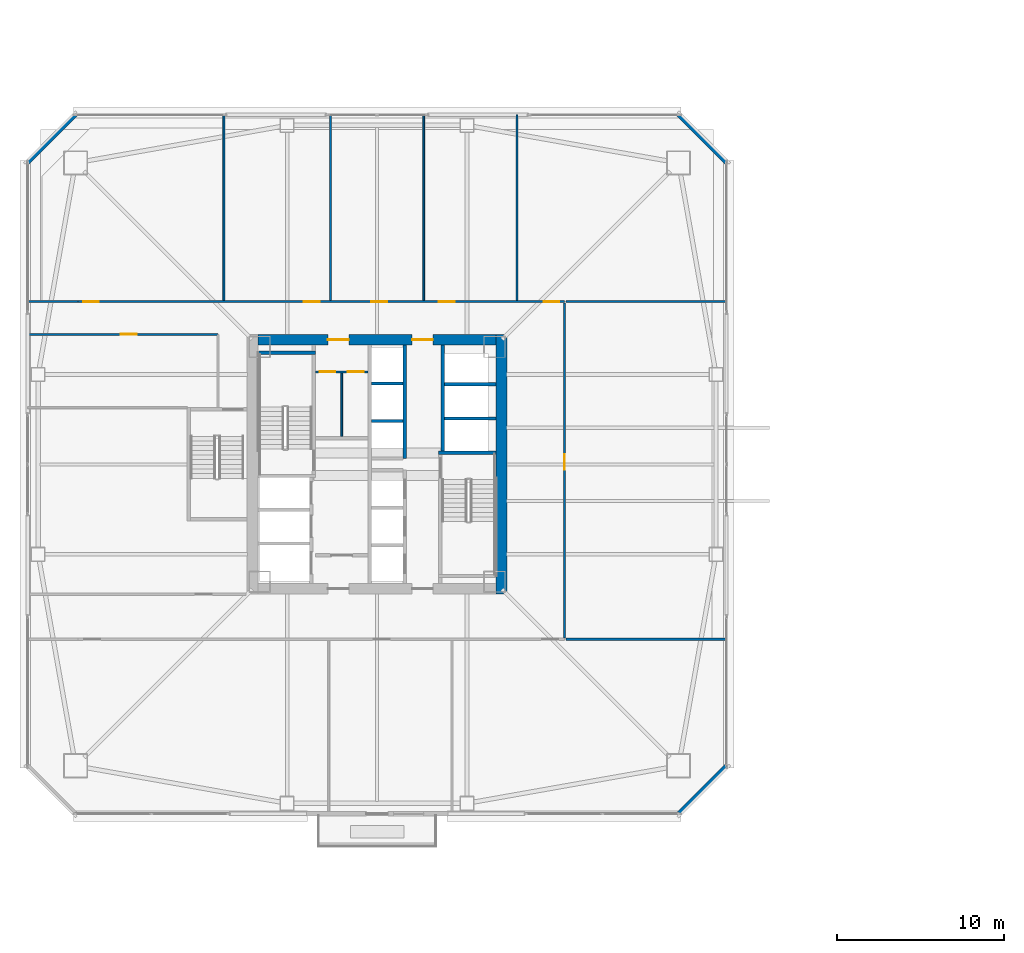
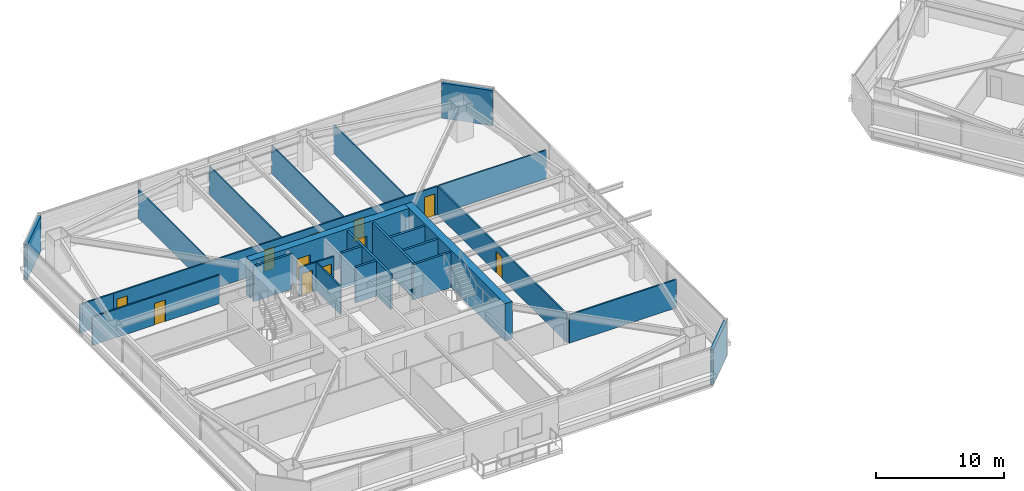
# One storey, part 34 of 44: 25 walls, 11 doors, 11 openings.
"""IFC4 building model written with IfcOpenShell, lengths in metres."""

from ifc_helpers import new_model, si_unit, direction, frame, frame_2d, origin, place, context, subcontext, project, spatial, rectangle, extrude, material, layer, layer_set, type_object, element, fill, save


model = new_model("IFC4")

# Units and contexts
model_context = context("Model", 3, precision=1e-05, world=origin(), true_north=direction((0.0, 1.0)))
body_context = subcontext(model_context, "Body", "Model", "MODEL_VIEW")
ifc_project = project(units=[si_unit("LENGTHUNIT", "METRE"), si_unit("AREAUNIT", "SQUARE_METRE"), si_unit("VOLUMEUNIT", "CUBIC_METRE"), si_unit("PLANEANGLEUNIT", "RADIAN"), si_unit("MASSUNIT", "GRAM", prefix="KILO")], contexts=[model_context])

# Site, building, storey
site_placement = place(None, origin())
site = spatial("IfcSite", under=ifc_project, at=site_placement, CompositionType="ELEMENT")
building_placement = place(site_placement, origin())
building = spatial("IfcBuilding", under=site, at=building_placement, Name="Tashvorn Skyway Center", CompositionType="ELEMENT")
storey_placement = place(building_placement, frame((0.0, 0.0, 95.60009765625)))
storey = spatial("IfcBuildingStorey", under=building, at=storey_placement, Name="L25", CompositionType="ELEMENT", Elevation=95.60009765625)

# Wall
ifc_material_1 = material(Name="Concrete C60/75", Category="concrete")
ifc_layer_1 = layer(ifc_material_1, 0.64990234375)
ifc_layer_set_1 = layer_set([ifc_layer_1], Name="Concrete C60/75")
wall_type_1 = type_object("IfcWallType", Name="WALL-CORE-650", PredefinedType="SHEAR", material=ifc_layer_set_1)
wall_1_placement = place(storey_placement, frame((49.47509765625, 39.800048828125, 0.0), z_axis=(0.0, 0.0, 1.0), x_axis=(0.0, -1.0, 0.0)))
element("IfcWall", 1, at=wall_1_placement, inside=storey, type_object=wall_type_1, Name="Tower 1 L25 East Core Shear Wall", PredefinedType="SHEAR", context=body_context, shape_type="SweptSolid", body=[
    extrude(rectangle(XDim=15.60009765625, YDim=0.64990234375, at=frame_2d((7.800048828125, 0.0))), origin(), (0.0, 0.0, 1.0), 3.5498046875),
])

# Wall, openings, doors
wall_2_placement = place(storey_placement, frame((34.85009765625, 39.47509765625, 0.0), z_axis=(0.0, 0.0, 1.0), x_axis=(1.0, 0.0, 0.0)))
wall_2 = element("IfcWall", 2, at=wall_2_placement, inside=storey, type_object=wall_type_1, Name="Tower 1 L25 North Core Shear Wall", PredefinedType="SHEAR", context=body_context, shape_type="SweptSolid", body=[
    extrude(rectangle(XDim=14.2998046875, YDim=0.64990234375, at=frame_2d((7.14990234375, 0.0))), origin(), (0.0, 0.0, 1.0), 3.5498046875),
])
opening_1_placement = place(wall_2_placement, frame((4.199951171875, 0.0, 0.0)))
opening_1 = element("IfcOpeningElement", 3, at=opening_1_placement, cuts=wall_2, Name="Opening D-FFL-1250", PredefinedType="OPENING", context=body_context, shape_type="SweptSolid", body=[
    extrude(rectangle(XDim=1.25, YDim=2.25, at=frame_2d((0.625, 1.125))), frame((0.0, 0.3349609375, 0.0), z_axis=(0.0, -1.0, 0.0), x_axis=(1.0, 0.0, 0.0)), (0.0, 0.0, 1.0), 0.669921875),
])
opening_2_placement = place(wall_2_placement, frame((9.25, 0.0, 0.0)))
opening_2 = element("IfcOpeningElement", 4, at=opening_2_placement, cuts=wall_2, Name="Opening D-FFL-1250", PredefinedType="OPENING", context=body_context, shape_type="SweptSolid", body=[
    extrude(rectangle(XDim=1.25, YDim=2.25, at=frame_2d((0.625, 1.125))), frame((0.0, 0.3349609375, 0.0), z_axis=(0.0, -1.0, 0.0), x_axis=(1.0, 0.0, 0.0)), (0.0, 0.0, 1.0), 0.669921875),
])
ifc_material_2 = material(Name="Hollow galvanized steel fire door assembly", Category="steel")
door_type_1 = type_object("IfcDoorType", Name="DOOR-FFL-1250", OperationType="NOTDEFINED", PredefinedType="DOOR", material=ifc_material_2)
door_1_placement = place(opening_1_placement, origin())
door_1 = element("IfcDoor", 5, at=door_1_placement, inside=storey, type_object=door_type_1, Name="Tower 1 L25 Core North Service Lobby Door", OperationType="SINGLE_SWING_LEFT", OverallHeight=2.25, OverallWidth=1.25, PredefinedType="DOOR", context=body_context, shape_type="SweptSolid", body=[
    extrude(rectangle(XDim=1.25, YDim=2.25, at=frame_2d((0.625, 1.125))), frame((0.0, 0.02490234375, 0.0), z_axis=(0.0, -1.0, 0.0), x_axis=(1.0, 0.0, 0.0)), (0.0, 0.0, 1.0), 0.050048828125),
])
fill(opening_1, door_1)
door_2_placement = place(opening_2_placement, origin())
door_2 = element("IfcDoor", 6, at=door_2_placement, inside=storey, type_object=door_type_1, Name="Tower 1 L25 Core North Lift Lobby Door", OperationType="SINGLE_SWING_RIGHT", OverallHeight=2.25, OverallWidth=1.25, PredefinedType="DOOR", context=body_context, shape_type="SweptSolid", body=[
    extrude(rectangle(XDim=1.25, YDim=2.25, at=frame_2d((0.625, 1.125))), frame((0.0, 0.02490234375, 0.0), z_axis=(0.0, -1.0, 0.0), x_axis=(1.0, 0.0, 0.0)), (0.0, 0.0, 1.0), 0.050048828125),
])
fill(opening_2, door_2)

# Walls
ifc_material_3 = material(Name="Precast concrete C40/50", Category="concrete")
ifc_layer_2 = layer(ifc_material_3, 0.280029296875)
ifc_layer_set_2 = layer_set([ifc_layer_2], Name="Precast concrete C40/50")
wall_type_2 = type_object("IfcWallType", Name="WALL-EXT-280", PredefinedType="SOLIDWALL", material=ifc_layer_set_2)
for number, where, z_axis, x_axis, name in (
    (7, (21.0, 50.10009765625, 0.0), (0.0, 0.0, 1.0), (0.707106781187, 0.707106781187, 0.0), "Tower 1 L25 NW Precast Chamfer Wall"),
    (8, (60.10009765625, 53.0, 0.0), (0.0, 0.0, 1.0), (0.707106781187, -0.707106781187, 0.0), "Tower 1 L25 NE Precast Chamfer Wall"),
    (9, (63.0, 13.89990234375, 0.0), (0.0, 0.0, 1.0), (-0.707106781187, -0.707106781187, 0.0), "Tower 1 L25 SE Precast Chamfer Wall"),
):
    element("IfcWall", number, at=place(storey_placement, frame(where, z_axis=z_axis, x_axis=x_axis)), inside=storey, type_object=wall_type_2, Name=name, PredefinedType="SOLIDWALL", context=body_context, shape_type="SweptSolid", body=[
        extrude(rectangle(XDim=4.10107421875, YDim=0.280029296875, at=frame_2d((2.050537109375, 0.0))), origin(), (0.0, 0.0, 1.0), 3.349853515625),
    ])
ifc_material_4 = material(Name="Gypsum board on cold-formed steel stud framing", Category="steel")
ifc_layer_3 = layer(ifc_material_4, 0.110107421875)
ifc_layer_set_3 = layer_set([ifc_layer_3], Name="Gypsum board on cold-formed steel stud framing")
wall_type_3 = type_object("IfcWallType", Name="WALL-PART-110", PredefinedType="PARTITIONING", material=ifc_layer_set_3)
for number, where, z_axis, x_axis, name in (
    (10, (32.800048828125, 41.85009765625, 0.0), (0.0, 0.0, 1.0), (0.0, 1.0, 0.0), "Tower 1 L25 North Suite Partition 1"),
    (11, (39.199951171875, 41.85009765625, 0.0), (0.0, 0.0, 1.0), (0.0, 1.0, 0.0), "Tower 1 L25 North Suite Partition 2"),
    (12, (44.800048828125, 41.85009765625, 0.0), (0.0, 0.0, 1.0), (0.0, 1.0, 0.0), "Tower 1 L25 North Suite Partition 3"),
    (13, (50.39990234375, 41.85009765625, 0.0), (0.0, 0.0, 1.0), (0.0, 1.0, 0.0), "Tower 1 L25 North Suite Partition 4"),
):
    element("IfcWall", number, at=place(storey_placement, frame(where, z_axis=z_axis, x_axis=x_axis)), inside=storey, type_object=wall_type_3, Name=name, PredefinedType="PARTITIONING", context=body_context, shape_type="SweptSolid", body=[
        extrude(rectangle(XDim=11.1298828125, YDim=0.110107421875, at=frame_2d((5.56494140625, 0.0))), origin(), (0.0, 0.0, 1.0), 2.702880859375),
    ])

# Wall, openings, doors
ifc_layer_4 = layer(ifc_material_4, 0.135009765625)
ifc_layer_set_4 = layer_set([ifc_layer_4], Name="Gypsum board on cold-formed steel stud framing")
wall_type_4 = type_object("IfcWallType", Name="WALL-PART-135", PredefinedType="PARTITIONING", material=ifc_layer_set_4)
wall_3_placement = place(storey_placement, frame((24.050048828125, 41.77001953125, 0.0), z_axis=(0.0, 0.0, 1.0), x_axis=(1.0, 0.0, 0.0)))
wall_3 = element("IfcWall", 14, at=wall_3_placement, inside=storey, type_object=wall_type_4, Name="Tower 1 L25 North Suite Wall", PredefinedType="PARTITIONING", context=body_context, shape_type="SweptSolid", body=[
    extrude(rectangle(XDim=29.199951171875, YDim=0.135009765625, at=frame_2d((14.60009765625, 0.0))), origin(), (0.0, 0.0, 1.0), 2.702880859375),
])
opening_3_placement = place(wall_3_placement, frame((0.300048828125, 0.0, 0.0)))
opening_3 = element("IfcOpeningElement", 15, at=opening_3_placement, cuts=wall_3, Name="Opening D-INT-950", PredefinedType="OPENING", context=body_context, shape_type="SweptSolid", body=[
    extrude(rectangle(XDim=0.949951171875, YDim=2.050048828125, at=frame_2d((0.47509765625, 1.02490234375))), frame((0.0, 0.077392578125, 0.0), z_axis=(0.0, -1.0, 0.0), x_axis=(1.0, 0.0, 0.0)), (0.0, 0.0, 1.0), 0.155029296875),
])
opening_4_placement = place(wall_3_placement, frame((13.559326171875, 0.0, 0.0)))
opening_4 = element("IfcOpeningElement", 16, at=opening_4_placement, cuts=wall_3, Name="Opening D-INT-950", PredefinedType="OPENING", context=body_context, shape_type="SweptSolid", body=[
    extrude(rectangle(XDim=0.949951171875, YDim=2.050048828125, at=frame_2d((0.47509765625, 1.02490234375))), frame((0.0, 0.077392578125, 0.0), z_axis=(0.0, -1.0, 0.0), x_axis=(1.0, 0.0, 0.0)), (0.0, 0.0, 1.0), 0.155029296875),
])
opening_5_placement = place(wall_3_placement, frame((17.604736328125, 0.0, 0.0)))
opening_5 = element("IfcOpeningElement", 17, at=opening_5_placement, cuts=wall_3, Name="Opening D-INT-950", PredefinedType="OPENING", context=body_context, shape_type="SweptSolid", body=[
    extrude(rectangle(XDim=0.949951171875, YDim=2.050048828125, at=frame_2d((0.47509765625, 1.02490234375))), frame((0.0, 0.077392578125, 0.0), z_axis=(0.0, -1.0, 0.0), x_axis=(1.0, 0.0, 0.0)), (0.0, 0.0, 1.0), 0.155029296875),
])
opening_6_placement = place(wall_3_placement, frame((21.648681640625, 0.0, 0.0)))
opening_6 = element("IfcOpeningElement", 18, at=opening_6_placement, cuts=wall_3, Name="Opening D-INT-950", PredefinedType="OPENING", context=body_context, shape_type="SweptSolid", body=[
    extrude(rectangle(XDim=0.949951171875, YDim=2.050048828125, at=frame_2d((0.47509765625, 1.02490234375))), frame((0.0, 0.077392578125, 0.0), z_axis=(0.0, -1.0, 0.0), x_axis=(1.0, 0.0, 0.0)), (0.0, 0.0, 1.0), 0.155029296875),
])
opening_7_placement = place(wall_3_placement, frame((27.949951171875, 0.0, 0.0)))
opening_7 = element("IfcOpeningElement", 19, at=opening_7_placement, cuts=wall_3, Name="Opening D-INT-950", PredefinedType="OPENING", context=body_context, shape_type="SweptSolid", body=[
    extrude(rectangle(XDim=0.949951171875, YDim=2.050048828125, at=frame_2d((0.47509765625, 1.02490234375))), frame((0.0, 0.077392578125, 0.0), z_axis=(0.0, -1.0, 0.0), x_axis=(1.0, 0.0, 0.0)), (0.0, 0.0, 1.0), 0.155029296875),
])
ifc_material_5 = material(Name="Solid-core architectural oak veneer door")
door_type_2 = type_object("IfcDoorType", Name="DOOR-INT-950", OperationType="NOTDEFINED", PredefinedType="DOOR", material=ifc_material_5)
door_3_placement = place(opening_3_placement, origin())
door_3 = element("IfcDoor", 20, at=door_3_placement, inside=storey, type_object=door_type_2, Name="Tower 1 L25 Research Library Door", OperationType="SINGLE_SWING_RIGHT", OverallHeight=2.050048828125, OverallWidth=0.949951171875, PredefinedType="DOOR", context=body_context, shape_type="SweptSolid", body=[
    extrude(rectangle(XDim=0.949951171875, YDim=2.050048828125, at=frame_2d((0.47509765625, 1.02490234375))), frame((0.0, 0.02490234375, 0.0), z_axis=(0.0, -1.0, 0.0), x_axis=(1.0, 0.0, 0.0)), (0.0, 0.0, 1.0), 0.050048828125),
])
fill(opening_3, door_3)
door_4_placement = place(opening_4_placement, origin())
door_4 = element("IfcDoor", 21, at=door_4_placement, inside=storey, type_object=door_type_2, Name="Tower 1 L25 Research Library Door", OperationType="SINGLE_SWING_LEFT", OverallHeight=2.050048828125, OverallWidth=0.949951171875, PredefinedType="DOOR", context=body_context, shape_type="SweptSolid", body=[
    extrude(rectangle(XDim=0.949951171875, YDim=2.050048828125, at=frame_2d((0.47509765625, 1.02490234375))), frame((0.0, 0.02490234375, 0.0), z_axis=(0.0, -1.0, 0.0), x_axis=(1.0, 0.0, 0.0)), (0.0, 0.0, 1.0), 0.050048828125),
])
fill(opening_4, door_4)
door_5_placement = place(opening_5_placement, origin())
door_5 = element("IfcDoor", 22, at=door_5_placement, inside=storey, type_object=door_type_2, Name="Tower 1 L25 Reading Lounge Door", OperationType="SINGLE_SWING_RIGHT", OverallHeight=2.050048828125, OverallWidth=0.949951171875, PredefinedType="DOOR", context=body_context, shape_type="SweptSolid", body=[
    extrude(rectangle(XDim=0.949951171875, YDim=2.050048828125, at=frame_2d((0.47509765625, 1.02490234375))), frame((0.0, 0.02490234375, 0.0), z_axis=(0.0, -1.0, 0.0), x_axis=(1.0, 0.0, 0.0)), (0.0, 0.0, 1.0), 0.050048828125),
])
fill(opening_5, door_5)
door_6_placement = place(opening_6_placement, origin())
door_6 = element("IfcDoor", 23, at=door_6_placement, inside=storey, type_object=door_type_2, Name="Tower 1 L25 Research Library Door", OperationType="SINGLE_SWING_LEFT", OverallHeight=2.050048828125, OverallWidth=0.949951171875, PredefinedType="DOOR", context=body_context, shape_type="SweptSolid", body=[
    extrude(rectangle(XDim=0.949951171875, YDim=2.050048828125, at=frame_2d((0.47509765625, 1.02490234375))), frame((0.0, 0.02490234375, 0.0), z_axis=(0.0, -1.0, 0.0), x_axis=(1.0, 0.0, 0.0)), (0.0, 0.0, 1.0), 0.050048828125),
])
fill(opening_6, door_6)
door_7_placement = place(opening_7_placement, origin())
door_7 = element("IfcDoor", 24, at=door_7_placement, inside=storey, type_object=door_type_2, Name="Tower 1 L25 Research Library Door", OperationType="SINGLE_SWING_RIGHT", OverallHeight=2.050048828125, OverallWidth=0.949951171875, PredefinedType="DOOR", context=body_context, shape_type="SweptSolid", body=[
    extrude(rectangle(XDim=0.949951171875, YDim=2.050048828125, at=frame_2d((0.47509765625, 1.02490234375))), frame((0.0, 0.02490234375, 0.0), z_axis=(0.0, -1.0, 0.0), x_axis=(1.0, 0.0, 0.0)), (0.0, 0.0, 1.0), 0.050048828125),
])
fill(opening_7, door_7)

# Wall
wall_4_placement = place(storey_placement, frame((21.02001953125, 41.77001953125, 0.0), z_axis=(0.0, 0.0, 1.0), x_axis=(1.0, 0.0, 0.0)))
element("IfcWall", 25, at=wall_4_placement, inside=storey, type_object=wall_type_4, Name="Tower 1 L25 North-West Suite South Wall", PredefinedType="PARTITIONING", context=body_context, shape_type="SweptSolid", body=[
    extrude(rectangle(XDim=3.030029296875, YDim=0.135009765625, at=frame_2d((1.51513671875, 0.0))), origin(), (0.0, 0.0, 1.0), 2.702880859375),
])

# Wall, opening, door
wall_5_placement = place(storey_placement, frame((53.25, 41.68994140625, 0.0), z_axis=(0.0, 0.0, 1.0), x_axis=(0.0, -1.0, 0.0)))
wall_5 = element("IfcWall", 26, at=wall_5_placement, inside=storey, type_object=wall_type_4, Name="Tower 1 L25 East Inner Suite Wall", PredefinedType="PARTITIONING", context=body_context, shape_type="SweptSolid", body=[
    extrude(rectangle(XDim=20.10986328125, YDim=0.135009765625, at=frame_2d((10.054931640625, 0.0))), origin(), (0.0, 0.0, 1.0), 2.702880859375),
])
opening_8_placement = place(wall_5_placement, frame((9.078369140625, 0.0, 0.0)))
opening_8 = element("IfcOpeningElement", 27, at=opening_8_placement, cuts=wall_5, Name="Opening D-INT-950", PredefinedType="OPENING", context=body_context, shape_type="SweptSolid", body=[
    extrude(rectangle(XDim=0.949951171875, YDim=2.050048828125, at=frame_2d((0.47509765625, 1.02490234375))), frame((0.0, 0.077392578125, 0.0), z_axis=(0.0, -1.0, 0.0), x_axis=(1.0, 0.0, 0.0)), (0.0, 0.0, 1.0), 0.155029296875),
])
door_8_placement = place(opening_8_placement, origin())
door_8 = element("IfcDoor", 28, at=door_8_placement, inside=storey, type_object=door_type_2, Name="Tower 1 L25 Research Library Door", OperationType="SINGLE_SWING_RIGHT", OverallHeight=2.050048828125, OverallWidth=0.949951171875, PredefinedType="DOOR", context=body_context, shape_type="SweptSolid", body=[
    extrude(rectangle(XDim=0.949951171875, YDim=2.050048828125, at=frame_2d((0.47509765625, 1.02490234375))), frame((0.0, 0.02490234375, 0.0), z_axis=(0.0, -1.0, 0.0), x_axis=(1.0, 0.0, 0.0)), (0.0, 0.0, 1.0), 0.050048828125),
])
fill(opening_8, door_8)

# Walls
for number, where, z_axis, x_axis, name in (
    (29, (62.97998046875, 41.77001953125, 0.0), (0.0, 0.0, 1.0), (-1.0, 0.0, 0.0), "Tower 1 L25 East Suite North Wall"),
    (30, (53.330078125, 21.5, 0.0), (0.0, 0.0, 1.0), (1.0, 0.0, 0.0), "Tower 1 L25 East Suite South Wall"),
):
    element("IfcWall", number, at=place(storey_placement, frame(where, z_axis=z_axis, x_axis=x_axis)), inside=storey, type_object=wall_type_4, Name=name, PredefinedType="PARTITIONING", context=body_context, shape_type="SweptSolid", body=[
        extrude(rectangle(XDim=9.64990234375, YDim=0.135009765625, at=frame_2d((4.824951171875, 0.0))), origin(), (0.0, 0.0, 1.0), 2.702880859375),
    ])

# Wall, opening, door
wall_6_placement = place(storey_placement, frame((32.449951171875, 39.800048828125, 0.0), z_axis=(0.0, 0.0, 1.0), x_axis=(-1.0, 0.0, 0.0)))
wall_6 = element("IfcWall", 31, at=wall_6_placement, inside=storey, type_object=wall_type_4, Name="Tower 1 L25 West Suite North Wall", PredefinedType="PARTITIONING", context=body_context, shape_type="SweptSolid", body=[
    extrude(rectangle(XDim=11.429931640625, YDim=0.135009765625, at=frame_2d((5.71484375, 0.0))), origin(), (0.0, 0.0, 1.0), 2.702880859375),
])
opening_9_placement = place(wall_6_placement, frame((4.889892578125, 0.0, 0.0)))
opening_9 = element("IfcOpeningElement", 32, at=opening_9_placement, cuts=wall_6, Name="Opening D-INT-950", PredefinedType="OPENING", context=body_context, shape_type="SweptSolid", body=[
    extrude(rectangle(XDim=0.949951171875, YDim=2.050048828125, at=frame_2d((0.47509765625, 1.02490234375))), frame((0.0, 0.077392578125, 0.0), z_axis=(0.0, -1.0, 0.0), x_axis=(1.0, 0.0, 0.0)), (0.0, 0.0, 1.0), 0.155029296875),
])
door_9_placement = place(opening_9_placement, origin())
door_9 = element("IfcDoor", 33, at=door_9_placement, inside=storey, type_object=door_type_2, Name="Tower 1 L25 Design Studio Door", OperationType="SINGLE_SWING_LEFT", OverallHeight=2.050048828125, OverallWidth=0.949951171875, PredefinedType="DOOR", context=body_context, shape_type="SweptSolid", body=[
    extrude(rectangle(XDim=0.949951171875, YDim=2.050048828125, at=frame_2d((0.47509765625, 1.02490234375))), frame((0.0, 0.02490234375, 0.0), z_axis=(0.0, -1.0, 0.0), x_axis=(1.0, 0.0, 0.0)), (0.0, 0.0, 1.0), 0.050048828125),
])
fill(opening_9, door_9)

# Wall
ifc_layer_5 = layer(ifc_material_4, 0.110107421875)
ifc_layer_set_5 = layer_set([ifc_layer_5], Name="Gypsum board on cold-formed steel stud framing")
wall_type_5 = type_object("IfcWallType", Name="WALL-RATED-110", PredefinedType="PARTITIONING", material=ifc_layer_set_5)
wall_7_placement = place(storey_placement, frame((39.8798828125, 33.679931640625, 0.0), z_axis=(0.0, 0.0, 1.0), x_axis=(0.0, 1.0, 0.0)))
element("IfcWall", 34, at=wall_7_placement, inside=storey, type_object=wall_type_5, Name="Tower 1 L25 Core Split Partition", PredefinedType="PARTITIONING", context=body_context, shape_type="SweptSolid", body=[
    extrude(rectangle(XDim=3.800048828125, YDim=0.110107421875, at=frame_2d((1.89990234375, 0.0))), origin(), (0.0, 0.0, 1.0), 2.702880859375),
])

# Wall, openings, doors
ifc_layer_6 = layer(ifc_material_4, 0.135009765625)
ifc_layer_set_6 = layer_set([ifc_layer_6], Name="Gypsum board on cold-formed steel stud framing")
wall_type_6 = type_object("IfcWallType", Name="WALL-RATED-135", PredefinedType="PARTITIONING", material=ifc_layer_set_6)
wall_8_placement = place(storey_placement, frame((38.300048828125, 37.550048828125, 0.0), z_axis=(0.0, 0.0, 1.0), x_axis=(1.0, 0.0, 0.0)))
wall_8 = element("IfcWall", 35, at=wall_8_placement, inside=storey, type_object=wall_type_6, Name="Tower 1 L25 Core Service Lobby Wall", PredefinedType="PARTITIONING", context=body_context, shape_type="SweptSolid", body=[
    extrude(rectangle(XDim=3.14990234375, YDim=0.135009765625, at=frame_2d((1.574951171875, 0.0))), origin(), (0.0, 0.0, 1.0), 2.702880859375),
])
opening_10_placement = place(wall_8_placement, frame((0.25, 0.0, 0.0)))
opening_10 = element("IfcOpeningElement", 36, at=opening_10_placement, cuts=wall_8, Name="Opening D-RT-950", PredefinedType="OPENING", context=body_context, shape_type="SweptSolid", body=[
    extrude(rectangle(XDim=0.949951171875, YDim=2.050048828125, at=frame_2d((0.47509765625, 1.02490234375))), frame((0.0, 0.077392578125, 0.0), z_axis=(0.0, -1.0, 0.0), x_axis=(1.0, 0.0, 0.0)), (0.0, 0.0, 1.0), 0.155029296875),
])
opening_11_placement = place(wall_8_placement, frame((1.949951171875, 0.0, 0.0)))
opening_11 = element("IfcOpeningElement", 37, at=opening_11_placement, cuts=wall_8, Name="Opening D-RT-950", PredefinedType="OPENING", context=body_context, shape_type="SweptSolid", body=[
    extrude(rectangle(XDim=0.949951171875, YDim=2.050048828125, at=frame_2d((0.47509765625, 1.02490234375))), frame((0.0, 0.077392578125, 0.0), z_axis=(0.0, -1.0, 0.0), x_axis=(1.0, 0.0, 0.0)), (0.0, 0.0, 1.0), 0.155029296875),
])
door_type_3 = type_object("IfcDoorType", Name="DOOR-RATED-950", OperationType="NOTDEFINED", PredefinedType="DOOR", material=ifc_material_2)
door_10_placement = place(opening_10_placement, origin())
door_10 = element("IfcDoor", 38, at=door_10_placement, inside=storey, type_object=door_type_3, Name="Tower 1 L25 Core Accessible WC Door", OperationType="SINGLE_SWING_LEFT", OverallHeight=2.050048828125, OverallWidth=0.949951171875, PredefinedType="DOOR", context=body_context, shape_type="SweptSolid", body=[
    extrude(rectangle(XDim=0.949951171875, YDim=2.050048828125, at=frame_2d((0.47509765625, 1.02490234375))), frame((0.0, 0.02490234375, 0.0), z_axis=(0.0, -1.0, 0.0), x_axis=(1.0, 0.0, 0.0)), (0.0, 0.0, 1.0), 0.050048828125),
])
fill(opening_10, door_10)
door_11_placement = place(opening_11_placement, origin())
door_11 = element("IfcDoor", 39, at=door_11_placement, inside=storey, type_object=door_type_3, Name="Tower 1 L25 Core Cleaner Store Door", OperationType="SINGLE_SWING_RIGHT", OverallHeight=2.050048828125, OverallWidth=0.949951171875, PredefinedType="DOOR", context=body_context, shape_type="SweptSolid", body=[
    extrude(rectangle(XDim=0.949951171875, YDim=2.050048828125, at=frame_2d((0.47509765625, 1.02490234375))), frame((0.0, 0.02490234375, 0.0), z_axis=(0.0, -1.0, 0.0), x_axis=(1.0, 0.0, 0.0)), (0.0, 0.0, 1.0), 0.050048828125),
])
fill(opening_11, door_11)

# Walls
ifc_material_6 = material(Name="Concrete C40/50", Category="concrete")
ifc_layer_7 = layer(ifc_material_6, 0.199951171875)
ifc_layer_set_7 = layer_set([ifc_layer_7], Name="Concrete C40/50")
wall_type_7 = type_object("IfcWallType", Name="WALL-SHAFT-200", PredefinedType="SOLIDWALL", material=ifc_layer_set_7)
for number, where, z_axis, x_axis, name in (
    (40, (46.050048828125, 34.75, 0.0), (0.0, 0.0, 1.0), (1.0, 0.0, 0.0), "Tower 1 L25 High-Rise Shaft Divider"),
    (41, (46.050048828125, 36.800048828125, 0.0), (0.0, 0.0, 1.0), (1.0, 0.0, 0.0), "Tower 1 L25 High-Rise Shaft Divider"),
):
    element("IfcWall", number, at=place(storey_placement, frame(where, z_axis=z_axis, x_axis=x_axis)), inside=storey, type_object=wall_type_7, Name=name, PredefinedType="SOLIDWALL", context=body_context, shape_type="SweptSolid", body=[
        extrude(rectangle(XDim=3.099853515625, YDim=0.199951171875, at=frame_2d((1.5498046875, 0.0))), origin(), (0.0, 0.0, 1.0), 3.349853515625),
    ])
wall_9_placement = place(storey_placement, frame((43.64990234375, 32.35009765625, 0.0), z_axis=(0.0, 0.0, 1.0), x_axis=(0.0, 1.0, 0.0)))
element("IfcWall", 42, at=wall_9_placement, inside=storey, type_object=wall_type_7, Name="Tower 1 L25 Mid-Rise Core Wall", PredefinedType="SOLIDWALL", context=body_context, shape_type="SweptSolid", body=[
    extrude(rectangle(XDim=6.7998046875, YDim=0.199951171875, at=frame_2d((3.39990234375, 0.0))), origin(), (0.0, 0.0, 1.0), 3.349853515625),
])
for number, where, z_axis, x_axis, name in (
    (43, (41.669921875, 34.60009765625, 0.0), (0.0, 0.0, 1.0), (1.0, 0.0, 0.0), "Tower 1 L25 Mid-Rise Shaft Divider"),
    (44, (41.669921875, 36.85009765625, 0.0), (0.0, 0.0, 1.0), (1.0, 0.0, 0.0), "Tower 1 L25 Mid-Rise Shaft Divider"),
):
    element("IfcWall", number, at=place(storey_placement, frame(where, z_axis=z_axis, x_axis=x_axis)), inside=storey, type_object=wall_type_7, Name=name, PredefinedType="SOLIDWALL", context=body_context, shape_type="SweptSolid", body=[
        extrude(rectangle(XDim=1.880126953125, YDim=0.199951171875, at=frame_2d((0.93994140625, 0.0))), origin(), (0.0, 0.0, 1.0), 3.349853515625),
    ])
ifc_layer_8 = layer(ifc_material_6, 0.199951171875)
ifc_layer_set_8 = layer_set([ifc_layer_8], Name="Concrete C40/50")
wall_type_8 = type_object("IfcWallType", Name="WALL-STSHF-200", PredefinedType="SHEAR", material=ifc_layer_set_8)
for number, where, z_axis, x_axis, name in (
    (45, (34.85009765625, 38.699951171875, 0.0), (0.0, 0.0, 1.0), (1.0, 0.0, 0.0), "Tower 1 L25 Stair 1 North Wall"),
    (46, (45.699951171875, 32.699951171875, 0.0), (0.0, 0.0, 1.0), (1.0, 0.0, 0.0), "Tower 1 L25 Stair 2 North Wall"),
):
    element("IfcWall", number, at=place(storey_placement, frame(where, z_axis=z_axis, x_axis=x_axis)), inside=storey, type_object=wall_type_8, Name=name, PredefinedType="SHEAR", context=body_context, shape_type="SweptSolid", body=[
        extrude(rectangle(XDim=3.449951171875, YDim=0.199951171875, at=frame_2d((1.72509765625, 0.0))), origin(), (0.0, 0.0, 1.0), 3.349853515625),
    ])
wall_10_placement = place(storey_placement, frame((45.949951171875, 39.14990234375, 0.0), z_axis=(0.0, 0.0, 1.0), x_axis=(0.0, -1.0, 0.0)))
element("IfcWall", 47, at=wall_10_placement, inside=storey, type_object=wall_type_8, Name="Tower 1 L25 High-Rise Lift Shaft Front Wall", PredefinedType="SHEAR", context=body_context, shape_type="SweptSolid", body=[
    extrude(rectangle(XDim=6.349853515625, YDim=0.199951171875, at=frame_2d((3.1748046875, 0.0))), origin(), (0.0, 0.0, 1.0), 3.349853515625),
])

save(model, "model.ifc")
